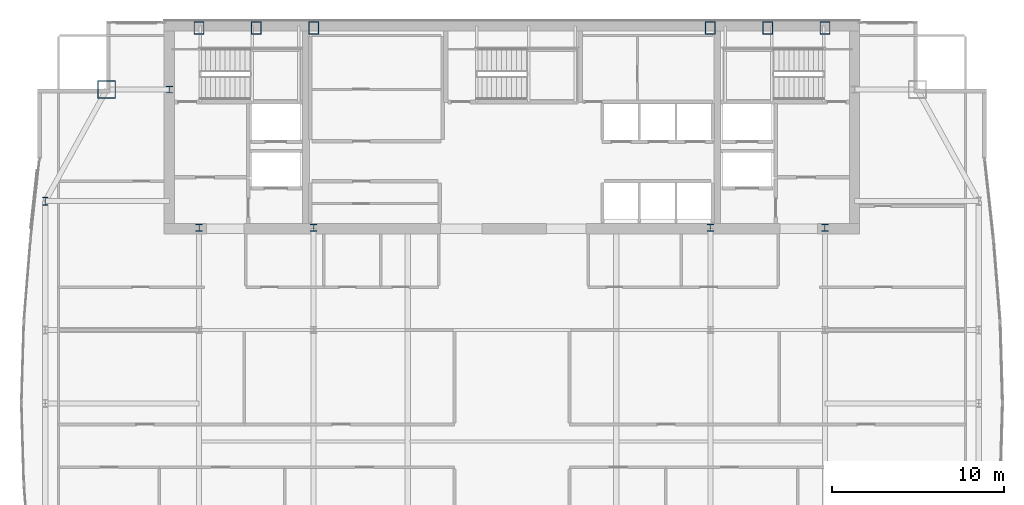
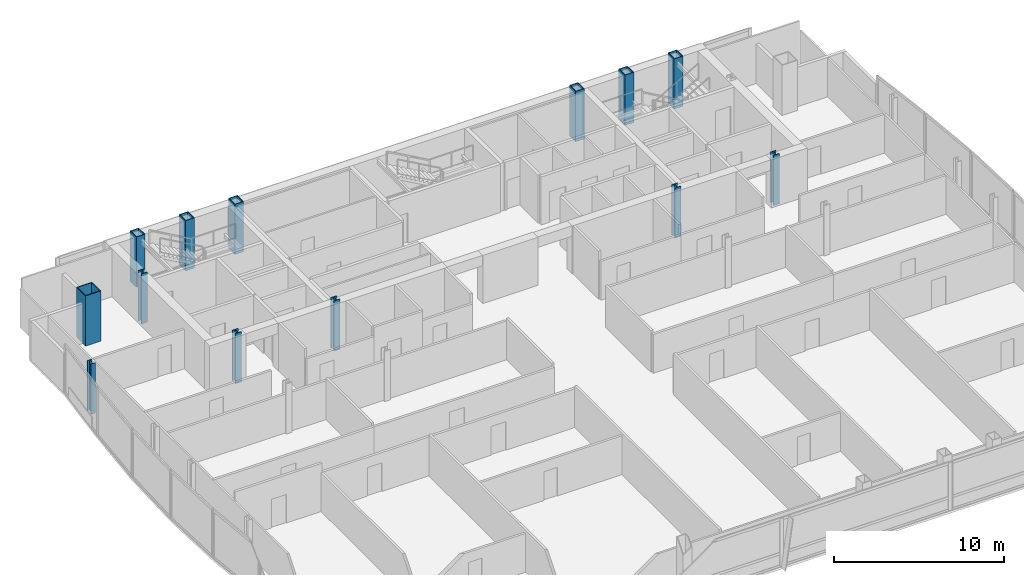
# One storey, part 3 of 29: 13 columns.
"""IFC4 building model written with IfcOpenShell, lengths in metres."""

import ifcopenshell
import ifcopenshell.guid

model = None  # the IFC model being written
_history = None  # IfcOwnerHistory: only IFC2X3 demands one
_inside = {}  # id of a spatial element -> (the spatial element, [elements in it])
_under = {}  # id of a project, library or spatial element -> (it, [spatial elements below it])
_declared = {}  # id of a project -> (the project, [libraries it declares])
_typed = {}  # id of a type object -> (the type object, [elements of that type])
_made_of = {}  # id of a material, layer set ... -> (it, [elements and type objects made of it])


def new_model(schema):
    """Start an empty IFC model of exactly this schema.

    Asked for "IFC4X3", IfcOpenShell would pick the latest addendum, in which some entities
    have other attributes; the version numbers below select the first issue.
    IFC2X3 requires an IfcOwnerHistory on every rooted entity: one is made here for all.
    """
    global model, _history
    if schema == "IFC4X3":
        model = ifcopenshell.file(schema_version=(4, 3, 0, 0))
    else:
        model = ifcopenshell.file(schema=schema)
    _inside.clear()
    _under.clear()
    _declared.clear()
    _typed.clear()
    _made_of.clear()
    _history = None
    if model.schema == "IFC2X3":
        org = make("IfcOrganization", Name="unknown")
        user = make(
            "IfcPersonAndOrganization",
            ThePerson=make("IfcPerson", FamilyName="unknown"),
            TheOrganization=org,
        )
        app = make(
            "IfcApplication",
            ApplicationDeveloper=org,
            Version="unknown",
            ApplicationFullName="unknown",
            ApplicationIdentifier="unknown",
        )
        _history = make(
            "IfcOwnerHistory",
            OwningUser=user,
            OwningApplication=app,
            ChangeAction="ADDED",
            CreationDate=0,
        )
    return model


def make(cls, **values):
    """One entity of the class cls with the attributes given. An attribute that is None is left unset."""
    return model.create_entity(
        cls, **{name: value for name, value in values.items() if value is not None}
    )


def rooted(cls, **values):
    """An entity with a GlobalId (a new one), such as an element, a storey or a relation."""
    return make(cls, GlobalId=ifcopenshell.guid.new(), OwnerHistory=_history, **values)


def si_unit(unit_type, name, prefix=None):
    """IfcSIUnit, for example si_unit("LENGTHUNIT", "METRE", prefix="MILLI")."""
    return make("IfcSIUnit", UnitType=unit_type, Prefix=prefix, Name=name)


def assignment(units):
    """IfcUnitAssignment: the units of a project."""
    return None if units is None else make("IfcUnitAssignment", Units=units)


def point(xyz):
    """IfcCartesianPoint."""
    return None if xyz is None else make("IfcCartesianPoint", Coordinates=xyz)


def direction(xyz):
    """IfcDirection."""
    return None if xyz is None else make("IfcDirection", DirectionRatios=xyz)


def frame(location, z_axis=None, x_axis=None):
    """IfcAxis2Placement3D, a coordinate frame: its origin and axes. An axis left out is left unset."""
    return make(
        "IfcAxis2Placement3D",
        Location=point(location),
        Axis=direction(z_axis),
        RefDirection=direction(x_axis),
    )


def frame_2d(location, x_axis=None):
    """IfcAxis2Placement2D, a coordinate frame in the plane: its origin and x axis."""
    return make(
        "IfcAxis2Placement2D", Location=point(location), RefDirection=direction(x_axis)
    )


def origin():
    """The frame at (0, 0, 0) with its axes left unset."""
    return frame((0.0, 0.0, 0.0))


def origin_2d():
    """The frame at (0, 0) in the plane with its x axis left unset."""
    return frame_2d((0.0, 0.0))


def place(relative_to, where):
    """IfcLocalPlacement: puts the frame where relative to a parent placement (None: the world)."""
    return make(
        "IfcLocalPlacement", PlacementRelTo=relative_to, RelativePlacement=where
    )


def context(
    kind, dimensions, precision=None, world=None, true_north=None, identifier=None
):
    """IfcGeometricRepresentationContext, for example the 3D "Model" context."""
    return make(
        "IfcGeometricRepresentationContext",
        ContextIdentifier=identifier,
        ContextType=kind,
        CoordinateSpaceDimension=dimensions,
        Precision=precision,
        WorldCoordinateSystem=world,
        TrueNorth=true_north,
    )


def subcontext(parent, identifier, kind, view, scale=None):
    """IfcGeometricRepresentationSubContext, for example "Body" below "Model"."""
    return make(
        "IfcGeometricRepresentationSubContext",
        ContextIdentifier=identifier,
        ContextType=kind,
        ParentContext=parent,
        TargetScale=scale,
        TargetView=view,
    )


def project(units=None, contexts=None):
    """IfcProject with its units and contexts."""
    return rooted(
        "IfcProject",
        Name="project",
        RepresentationContexts=contexts,
        UnitsInContext=assignment(units),
    )


def spatial(cls, under=None, at=None, **own):
    """A site, building, storey or space (cls), placed at a placement, below another one or the project."""
    s = rooted(cls, ObjectPlacement=at, **own)
    if under is not None:
        _under.setdefault(under.id(), (under, []))[1].append(s)
    return s


def profile(cls, at=None, kind="AREA", **sizes):
    """A parametric profile (cls). Its sizes go by their IFC names, for example OverallWidth=200.0."""
    return make(cls, ProfileType=kind, Position=at, **sizes)


def hollow_rectangle(**sizes):
    """IfcRectangleHollowProfileDef."""
    return profile("IfcRectangleHollowProfileDef", **sizes)


def i_section(**sizes):
    """IfcIShapeProfileDef."""
    return profile("IfcIShapeProfileDef", **sizes)


def extrude(swept, where, along, depth):
    """IfcExtrudedAreaSolid: the profile swept, set in the frame where, extruded along a direction by depth."""
    return make(
        "IfcExtrudedAreaSolid",
        SweptArea=swept,
        Position=where,
        ExtrudedDirection=direction(along),
        Depth=depth,
    )


def shape(context_of_items, identifier, shape_type, items):
    """IfcShapeRepresentation: the items that make up one representation, for example the "Body"."""
    return make(
        "IfcShapeRepresentation",
        ContextOfItems=context_of_items,
        RepresentationIdentifier=identifier,
        RepresentationType=shape_type,
        Items=items,
    )


def material(Name=None, Category=None):
    """IfcMaterial."""
    return make("IfcMaterial", Name=Name, Category=Category)


def material_profile(
    of_material, cross_section, Name=None, Category=None, Priority=None
):
    """IfcMaterialProfile: a cross section and its material."""
    return make(
        "IfcMaterialProfile",
        Name=Name,
        Material=of_material,
        Profile=cross_section,
        Priority=Priority,
        Category=Category,
    )


def profile_set(profiles, Name=None, composite=None):
    """IfcMaterialProfileSet."""
    return make(
        "IfcMaterialProfileSet",
        Name=Name,
        MaterialProfiles=profiles,
        CompositeProfile=composite,
    )


def made_of(thing, what):
    """Note that an element or type object is made of a material, layer set ...; save() writes the relation."""
    if what is not None:
        _made_of.setdefault(what.id(), (what, []))[1].append(thing)
    return thing


def type_object(cls, material=None, **own):
    """A type object (cls), such as IfcWallType, which elements share."""
    return made_of(rooted(cls, **own), material)


def element(
    cls,
    number,
    at=None,
    inside=None,
    cuts=None,
    type_object=None,
    material=None,
    context=None,
    identifier="Body",
    shape_type=None,
    held_by="IfcProductDefinitionShape",
    body=None,
    shapes=None,
    **own,
):
    """One element of the class cls, such as IfcWall. Its Tag is "e" and its number.

    at: its placement. inside: the storey or other place that contains it. cuts: it is an
    opening in that element (IfcRelVoidsElement). A single representation is given by context,
    identifier, shape_type and body (its items); several are given by shapes. held_by: the class
    of the entity that holds the representations. save() writes the other relations.
    """
    e = rooted(cls, Tag="e%d" % number, ObjectPlacement=at, **own)
    if body is not None:
        shapes = [shape(context, identifier, shape_type, body)]
    if shapes is not None:
        e.Representation = make(held_by, Representations=shapes)
    if inside is not None:
        _inside.setdefault(inside.id(), (inside, []))[1].append(e)
    if cuts is not None:
        rooted(
            "IfcRelVoidsElement", RelatingBuildingElement=cuts, RelatedOpeningElement=e
        )
    if type_object is not None:
        _typed.setdefault(type_object.id(), (type_object, []))[1].append(e)
    return made_of(e, material)


def aggregate(whole, parts):
    """IfcRelAggregates: a whole, such as a stair, and the parts it consists of."""
    return rooted("IfcRelAggregates", RelatingObject=whole, RelatedObjects=parts)


def save(model, path):
    """Write the relations noted so far, then the file.

    IfcRelAggregates (storeys below a building ...), IfcRelContainedInSpatialStructure (elements
    in a storey), IfcRelDefinesByType, IfcRelAssociatesMaterial and IfcRelDeclares: one each for
    every whole, place, type object, material and project.
    """
    for whole, parts in _under.values():
        aggregate(whole, parts)
    for where, things in _inside.values():
        rooted(
            "IfcRelContainedInSpatialStructure",
            RelatedElements=things,
            RelatingStructure=where,
        )
    for kind, things in _typed.values():
        rooted("IfcRelDefinesByType", RelatedObjects=things, RelatingType=kind)
    for what, things in _made_of.values():
        rooted("IfcRelAssociatesMaterial", RelatedObjects=things, RelatingMaterial=what)
    for by, libraries in _declared.values():
        rooted("IfcRelDeclares", RelatingContext=by, RelatedDefinitions=libraries)
    model.write(path)


model = new_model("IFC4")

# Units and contexts
model_context = context("Model", 3, precision=1e-05, world=origin(), true_north=direction((0.0, 1.0)))
body_context = subcontext(model_context, "Body", "Model", "MODEL_VIEW")
ifc_project = project(units=[si_unit("LENGTHUNIT", "METRE"), si_unit("AREAUNIT", "SQUARE_METRE"), si_unit("VOLUMEUNIT", "CUBIC_METRE"), si_unit("PLANEANGLEUNIT", "RADIAN"), si_unit("MASSUNIT", "GRAM", prefix="KILO")], contexts=[model_context])

# Site, building, storey
site_placement = place(None, origin())
site = spatial("IfcSite", under=ifc_project, at=site_placement, CompositionType="ELEMENT")
building_placement = place(site_placement, origin())
building = spatial("IfcBuilding", under=site, at=building_placement, Name="Khoronbel Lancet Exchange", CompositionType="ELEMENT")
storey_placement = place(building_placement, frame((0.0, 0.0, 242.60009765625)))
storey = spatial("IfcBuildingStorey", under=building, at=storey_placement, Name="L62", CompositionType="ELEMENT", Elevation=242.60009765625)

# Columns
ifc_material_1 = material(Name="Steel S460", Category="steel")
ifc_material_profile_1 = material_profile(ifc_material_1, hollow_rectangle(XDim=0.60009765625, YDim=0.75, WallThickness=0.044921875, at=origin_2d()), Name="BOX 750x600x45")
ifc_profile_set_1 = profile_set([ifc_material_profile_1], Name="Steel S460")
column_type_1 = type_object("IfcColumnType", Name="COL-EC3", PredefinedType="COLUMN", material=ifc_profile_set_1)
for number, where, z_axis, x_axis, name in (
    (1, (18.22509765625, 53.280029296875, 0.0), (0.0, 0.0, 1.0), (1.0, 0.0, 0.0), "Structural column NC-W1 L62"),
    (2, (21.5625, 53.280029296875, 0.0), (0.0, 0.0, 1.0), (1.0, 0.0, 0.0), "Structural column NC-WM L62"),
    (3, (24.89990234375, 53.280029296875, 0.0), (0.0, 0.0, 1.0), (1.0, 0.0, 0.0), "Structural column NC-W2 L62"),
    (4, (48.0, 53.280029296875, 0.0), (0.0, 0.0, 1.0), (1.0, 0.0, 0.0), "Structural column NC-E1 L62"),
    (5, (51.33740234375, 53.280029296875, 0.0), (0.0, 0.0, 1.0), (1.0, 0.0, 0.0), "Structural column NC-EM L62"),
    (6, (54.675048828125, 53.280029296875, 0.0), (0.0, 0.0, 1.0), (1.0, 0.0, 0.0), "Structural column NC-E2 L62"),
):
    element("IfcColumn", number, at=place(storey_placement, frame(where, z_axis=z_axis, x_axis=x_axis)), inside=storey, type_object=column_type_1, Name=name, PredefinedType="COLUMN", context=body_context, shape_type="SweptSolid", body=[
        extrude(hollow_rectangle(XDim=0.60009765625, YDim=0.75, WallThickness=0.044921875, at=origin_2d()), origin(), (0.0, 0.0, 1.0), 3.599853515625),
    ])
ifc_material_2 = material(Name="Steel S355", Category="steel")
ifc_material_profile_2 = material_profile(ifc_material_2, i_section(OverallWidth=0.406005859375, OverallDepth=0.416015625, WebThickness=0.02978515625, FlangeThickness=0.048095703125, at=origin_2d()), Name="HD 400x382")
ifc_profile_set_2 = profile_set([ifc_material_profile_2], Name="Steel S355")
column_type_2 = type_object("IfcColumnType", Name="COL-IC3", PredefinedType="COLUMN", material=ifc_profile_set_2)
for number, where, z_axis, x_axis, name in (
    (7, (16.5, 49.699951171875, 0.0), (0.0, 0.0, 1.0), (1.0, 0.0, 0.0), "Core-flank plumb transfer column CFW L62"),
    (8, (18.22509765625, 41.64990234375, 0.0), (0.0, 0.0, 1.0), (1.0, 0.0, 0.0), "Core-embedded steel column CTC1 L62"),
    (9, (24.89990234375, 41.64990234375, 0.0), (0.0, 0.0, 1.0), (1.0, 0.0, 0.0), "Core-embedded steel column CTC2 L62"),
    (10, (48.0, 41.64990234375, 0.0), (0.0, 0.0, 1.0), (1.0, 0.0, 0.0), "Core-embedded steel column CTC3 L62"),
    (11, (54.675048828125, 41.64990234375, 0.0), (0.0, 0.0, 1.0), (1.0, 0.0, 0.0), "Core-embedded steel column CTC4 L62"),
):
    element("IfcColumn", number, at=place(storey_placement, frame(where, z_axis=z_axis, x_axis=x_axis)), inside=storey, type_object=column_type_2, Name=name, PredefinedType="COLUMN", context=body_context, shape_type="SweptSolid", body=[
        extrude(i_section(OverallWidth=0.406005859375, OverallDepth=0.416015625, WebThickness=0.02978515625, FlangeThickness=0.048095703125, at=origin_2d()), origin(), (0.0, 0.0, 1.0), 3.599853515625),
    ])
ifc_material_profile_3 = material_profile(ifc_material_2, i_section(OverallWidth=0.300048828125, OverallDepth=0.449951171875, WebThickness=0.013916015625, FlangeThickness=0.02587890625, at=origin_2d()), Name="HEB 450")
ifc_profile_set_3 = profile_set([ifc_material_profile_3], Name="Steel S355")
column_type_3 = type_object("IfcColumnType", Name="COL-LC2", PredefinedType="COLUMN", material=ifc_profile_set_3)
column_1_placement = place(storey_placement, frame((9.27001953125, 43.199951171875, 0.0), z_axis=(0.0, 0.0, 1.0), x_axis=(1.0, 0.0, 0.0)))
element("IfcColumn", 12, at=column_1_placement, inside=storey, type_object=column_type_3, Name="Structural column WC-4 L62", PredefinedType="COLUMN", context=body_context, shape_type="SweptSolid", body=[
    extrude(i_section(OverallWidth=0.300048828125, OverallDepth=0.449951171875, WebThickness=0.013916015625, FlangeThickness=0.02587890625, at=origin_2d()), origin(), (0.0, 0.0, 1.0), 3.599853515625),
])
ifc_material_profile_4 = material_profile(ifc_material_1, hollow_rectangle(XDim=1.050048828125, YDim=1.050048828125, WallThickness=0.054931640625, at=origin_2d()), Name="BOX 1050x1050x55")
ifc_profile_set_4 = profile_set([ifc_material_profile_4], Name="Steel S460")
column_type_4 = type_object("IfcColumnType", Name="COL-MC6", PredefinedType="COLUMN", material=ifc_profile_set_4)
column_2_placement = place(storey_placement, frame((12.85009765625, 49.699951171875, 0.0), z_axis=(0.0, 0.0, 1.0), x_axis=(1.0, 0.0, 0.0)))
element("IfcColumn", 13, at=column_2_placement, inside=storey, type_object=column_type_4, Name="Structural column MC-NW L62", PredefinedType="COLUMN", context=body_context, shape_type="SweptSolid", body=[
    extrude(hollow_rectangle(XDim=1.050048828125, YDim=1.050048828125, WallThickness=0.054931640625, at=origin_2d()), origin(), (0.0, 0.0, 1.0), 3.599853515625),
])

save(model, "model.ifc")
